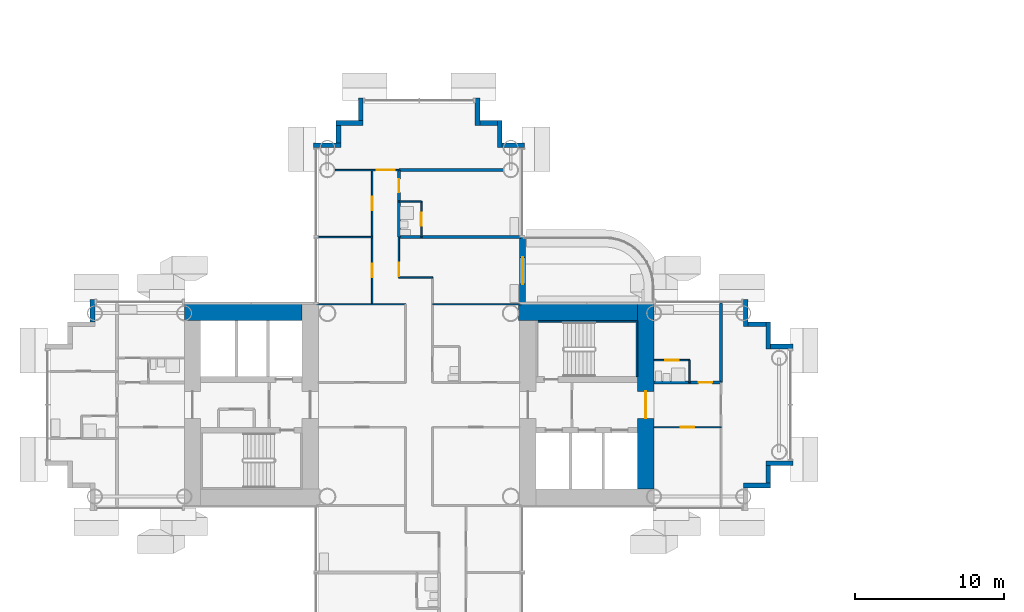
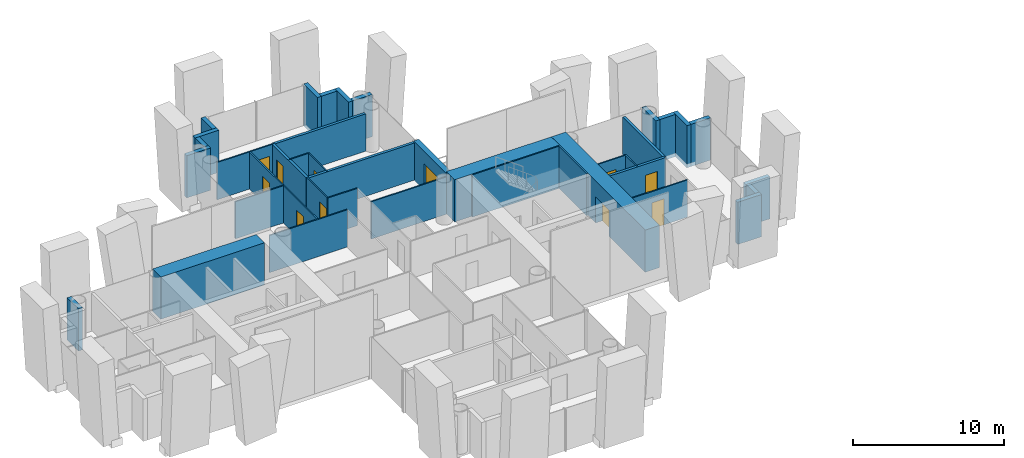
# One storey, part 12 of 23: 39 walls, 11 doors, 11 openings.
"""IFC4 building model written with IfcOpenShell, lengths in metres."""

from ifc_helpers import new_model, si_unit, direction, frame, frame_2d, origin, place, context, subcontext, project, spatial, rectangle, extrude, material, layer, layer_set, type_object, element, fill, save


model = new_model("IFC4")

# Units and contexts
model_context = context("Model", 3, precision=1e-05, world=origin(), true_north=direction((0.0, 1.0)))
body_context = subcontext(model_context, "Body", "Model", "MODEL_VIEW")
ifc_project = project(units=[si_unit("LENGTHUNIT", "METRE"), si_unit("AREAUNIT", "SQUARE_METRE"), si_unit("VOLUMEUNIT", "CUBIC_METRE"), si_unit("PLANEANGLEUNIT", "RADIAN"), si_unit("MASSUNIT", "GRAM", prefix="KILO")], contexts=[model_context])

# Site, building, storey
site_placement = place(None, origin())
site = spatial("IfcSite", under=ifc_project, at=site_placement, CompositionType="ELEMENT")
building_placement = place(site_placement, origin())
building = spatial("IfcBuilding", under=site, at=building_placement, Name="Ipe Terrace Towers", CompositionType="ELEMENT")
storey_placement = place(building_placement, frame((0.0, 0.0, 51.699951171875)))
storey = spatial("IfcBuildingStorey", under=building, at=storey_placement, Name="L13", CompositionType="ELEMENT", Elevation=51.699951171875)

# Wall, opening, door
ifc_material_1 = material(Name="Concrete C40/50 with buff precast cladding", Category="concrete")
ifc_layer_1 = layer(ifc_material_1, 0.39990234375)
ifc_layer_set_1 = layer_set([ifc_layer_1], Name="BALCONY BAY WALL 400")
wall_type_1 = type_object("IfcWallType", Name="BALCONY BAY WALL 400", PredefinedType="STANDARD", material=ifc_layer_set_1)
wall_1_placement = place(storey_placement, frame((-29.050048828125, 6.75, -0.02001953125), z_axis=(0.0, 0.0, 1.0), x_axis=(0.0, 1.0, 0.0)))
wall_1 = element("IfcWall", 1, at=wall_1_placement, inside=storey, type_object=wall_type_1, Name="T1-W-L13-32a wall", PredefinedType="STANDARD", context=body_context, shape_type="SweptSolid", body=[
    extrude(rectangle(XDim=4.5, YDim=0.39990234375, at=frame_2d((2.25, 0.0))), origin(), (0.0, 0.0, 1.0), 3.1201171875),
])
opening_1_placement = place(wall_1_placement, frame((1.35009765625, 0.0, 0.02001953125)))
opening_1 = element("IfcOpeningElement", 2, at=opening_1_placement, cuts=wall_1, Name="Opening T1-D-L13-32", PredefinedType="OPENING", context=body_context, shape_type="SweptSolid", body=[
    extrude(rectangle(XDim=1.800048828125, YDim=2.10009765625, at=frame_2d((0.89990234375, 1.050048828125))), frame((0.0, 0.2099609375, 0.0), z_axis=(0.0, -1.0, 0.0), x_axis=(1.0, 0.0, 0.0)), (0.0, 0.0, 1.0), 0.419921875),
])
ifc_material_2 = material(Name="Aluminium alloy 6063-T6 framed glazed door", Category="aluminium")
door_type_1 = type_object("IfcDoorType", Name="BALCONY DOOR 1800 x 2100 LEFT", OperationType="SINGLE_SWING_LEFT", PredefinedType="DOOR", material=ifc_material_2)
door_1_placement = place(opening_1_placement, origin())
door_1 = element("IfcDoor", 3, at=door_1_placement, inside=storey, type_object=door_type_1, Name="DB1 door", OperationType="SINGLE_SWING_LEFT", OverallHeight=2.10009765625, OverallWidth=1.800048828125, PredefinedType="DOOR", context=body_context, shape_type="SweptSolid", body=[
    extrude(rectangle(XDim=1.800048828125, YDim=2.10009765625, at=frame_2d((0.89990234375, 1.050048828125))), frame((0.0, 0.02490234375, 0.0), z_axis=(0.0, -1.0, 0.0), x_axis=(1.0, 0.0, 0.0)), (0.0, 0.0, 1.0), 0.050048828125),
])
fill(opening_1, door_1)

# Walls
ifc_material_3 = material(Name="Concrete C40/50 with buff precast cladding", Category="concrete")
ifc_layer_2 = layer(ifc_material_3, 0.320068359375)
ifc_layer_set_2 = layer_set([ifc_layer_2], Name="BUFF CLADDING WALL 320")
wall_type_2 = type_object("IfcWallType", Name="BUFF CLADDING WALL 320", PredefinedType="STANDARD", material=ifc_layer_set_2)
wall_2_placement = place(storey_placement, frame((-14.25, -5.409912109375, -0.300048828125), z_axis=(0.0, 0.0, 1.0), x_axis=(1.0, 0.0, 0.0)))
element("IfcWall", 4, at=wall_2_placement, inside=storey, type_object=wall_type_2, Name="T1-W-L13-22a wall", PredefinedType="STANDARD", context=body_context, shape_type="SweptSolid", body=[
    extrude(rectangle(XDim=1.820068359375, YDim=0.320068359375, at=frame_2d((0.91015625, 0.0))), origin(), (0.0, 0.0, 1.0), 3.400146484375),
])
wall_3_placement = place(storey_placement, frame((-12.590087890625, -5.25, -0.300048828125), z_axis=(0.0, 0.0, 1.0), x_axis=(0.0, 1.0, 0.0)))
element("IfcWall", 5, at=wall_3_placement, inside=storey, type_object=wall_type_2, Name="T1-W-L13-23a wall", PredefinedType="STANDARD", context=body_context, shape_type="SweptSolid", body=[
    extrude(rectangle(XDim=1.179931640625, YDim=0.320068359375, at=frame_2d((0.58984375, 0.0))), origin(), (0.0, 0.0, 1.0), 3.400146484375),
])
wall_4_placement = place(storey_placement, frame((-12.75, -3.909912109375, -0.300048828125), z_axis=(0.0, 0.0, 1.0), x_axis=(1.0, 0.0, 0.0)))
element("IfcWall", 6, at=wall_4_placement, inside=storey, type_object=wall_type_2, Name="T1-W-L13-24a wall", PredefinedType="STANDARD", context=body_context, shape_type="SweptSolid", body=[
    extrude(rectangle(XDim=1.820068359375, YDim=0.320068359375, at=frame_2d((0.91015625, 0.0))), origin(), (0.0, 0.0, 1.0), 3.400146484375),
])
wall_5_placement = place(storey_placement, frame((-10.929931640625, 3.909912109375, -0.300048828125), z_axis=(0.0, 0.0, 1.0), x_axis=(-1.0, 0.0, 0.0)))
element("IfcWall", 7, at=wall_5_placement, inside=storey, type_object=wall_type_2, Name="T1-W-L13-26a wall", PredefinedType="STANDARD", context=body_context, shape_type="SweptSolid", body=[
    extrude(rectangle(XDim=1.5, YDim=0.320068359375, at=frame_2d((0.75, 0.0))), origin(), (0.0, 0.0, 1.0), 3.400146484375),
])
wall_6_placement = place(storey_placement, frame((-12.590087890625, 3.75, -0.300048828125), z_axis=(0.0, 0.0, 1.0), x_axis=(0.0, 1.0, 0.0)))
element("IfcWall", 8, at=wall_6_placement, inside=storey, type_object=wall_type_2, Name="T1-W-L13-27a wall", PredefinedType="STANDARD", context=body_context, shape_type="SweptSolid", body=[
    extrude(rectangle(XDim=1.820068359375, YDim=0.320068359375, at=frame_2d((0.91015625, 0.0))), origin(), (0.0, 0.0, 1.0), 3.400146484375),
])
wall_7_placement = place(storey_placement, frame((-12.75, 5.409912109375, -0.300048828125), z_axis=(0.0, 0.0, 1.0), x_axis=(-1.0, 0.0, 0.0)))
element("IfcWall", 9, at=wall_7_placement, inside=storey, type_object=wall_type_2, Name="T1-W-L13-28a wall", PredefinedType="STANDARD", context=body_context, shape_type="SweptSolid", body=[
    extrude(rectangle(XDim=1.179931640625, YDim=0.320068359375, at=frame_2d((0.58984375, 0.0))), origin(), (0.0, 0.0, 1.0), 3.400146484375),
])
wall_8_placement = place(storey_placement, frame((-14.090087890625, 5.25, -0.300048828125), z_axis=(0.0, 0.0, 1.0), x_axis=(0.0, 1.0, 0.0)))
element("IfcWall", 10, at=wall_8_placement, inside=storey, type_object=wall_type_2, Name="T1-W-L13-29a wall", PredefinedType="STANDARD", context=body_context, shape_type="SweptSolid", body=[
    extrude(rectangle(XDim=1.820068359375, YDim=0.320068359375, at=frame_2d((0.91015625, 0.0))), origin(), (0.0, 0.0, 1.0), 3.400146484375),
])
wall_9_placement = place(storey_placement, frame((-28.929931640625, 17.409912109375, -0.300048828125), z_axis=(0.0, 0.0, 1.0), x_axis=(-1.0, 0.0, 0.0)))
element("IfcWall", 11, at=wall_9_placement, inside=storey, type_object=wall_type_2, Name="T1-W-L13-34a wall", PredefinedType="STANDARD", context=body_context, shape_type="SweptSolid", body=[
    extrude(rectangle(XDim=1.5, YDim=0.320068359375, at=frame_2d((0.75, 0.0))), origin(), (0.0, 0.0, 1.0), 3.400146484375),
])
wall_10_placement = place(storey_placement, frame((-30.590087890625, 17.25, -0.300048828125), z_axis=(0.0, 0.0, 1.0), x_axis=(0.0, 1.0, 0.0)))
element("IfcWall", 12, at=wall_10_placement, inside=storey, type_object=wall_type_2, Name="T1-W-L13-35a wall", PredefinedType="STANDARD", context=body_context, shape_type="SweptSolid", body=[
    extrude(rectangle(XDim=1.820068359375, YDim=0.320068359375, at=frame_2d((0.91015625, 0.0))), origin(), (0.0, 0.0, 1.0), 3.400146484375),
])
wall_11_placement = place(storey_placement, frame((-30.75, 18.909912109375, -0.300048828125), z_axis=(0.0, 0.0, 1.0), x_axis=(-1.0, 0.0, 0.0)))
element("IfcWall", 13, at=wall_11_placement, inside=storey, type_object=wall_type_2, Name="T1-W-L13-36a wall", PredefinedType="STANDARD", context=body_context, shape_type="SweptSolid", body=[
    extrude(rectangle(XDim=1.179931640625, YDim=0.320068359375, at=frame_2d((0.58984375, 0.0))), origin(), (0.0, 0.0, 1.0), 3.400146484375),
])
wall_12_placement = place(storey_placement, frame((-32.090087890625, 18.75, -0.300048828125), z_axis=(0.0, 0.0, 1.0), x_axis=(0.0, 1.0, 0.0)))
element("IfcWall", 14, at=wall_12_placement, inside=storey, type_object=wall_type_2, Name="T1-W-L13-37a wall", PredefinedType="STANDARD", context=body_context, shape_type="SweptSolid", body=[
    extrude(rectangle(XDim=1.820068359375, YDim=0.320068359375, at=frame_2d((0.91015625, 0.0))), origin(), (0.0, 0.0, 1.0), 3.400146484375),
])
wall_13_placement = place(storey_placement, frame((-39.909912109375, 20.570068359375, -0.300048828125), z_axis=(0.0, 0.0, 1.0), x_axis=(0.0, -1.0, 0.0)))
element("IfcWall", 15, at=wall_13_placement, inside=storey, type_object=wall_type_2, Name="T1-W-L13-39a wall", PredefinedType="STANDARD", context=body_context, shape_type="SweptSolid", body=[
    extrude(rectangle(XDim=1.5, YDim=0.320068359375, at=frame_2d((0.75, 0.0))), origin(), (0.0, 0.0, 1.0), 3.400146484375),
])
wall_14_placement = place(storey_placement, frame((-39.75, 18.909912109375, -0.300048828125), z_axis=(0.0, 0.0, 1.0), x_axis=(-1.0, 0.0, 0.0)))
element("IfcWall", 16, at=wall_14_placement, inside=storey, type_object=wall_type_2, Name="T1-W-L13-40a wall", PredefinedType="STANDARD", context=body_context, shape_type="SweptSolid", body=[
    extrude(rectangle(XDim=1.820068359375, YDim=0.320068359375, at=frame_2d((0.91015625, 0.0))), origin(), (0.0, 0.0, 1.0), 3.400146484375),
])
wall_15_placement = place(storey_placement, frame((-41.409912109375, 18.75, -0.300048828125), z_axis=(0.0, 0.0, 1.0), x_axis=(0.0, -1.0, 0.0)))
element("IfcWall", 17, at=wall_15_placement, inside=storey, type_object=wall_type_2, Name="T1-W-L13-41a wall", PredefinedType="STANDARD", context=body_context, shape_type="SweptSolid", body=[
    extrude(rectangle(XDim=1.179931640625, YDim=0.320068359375, at=frame_2d((0.58984375, 0.0))), origin(), (0.0, 0.0, 1.0), 3.400146484375),
])
wall_16_placement = place(storey_placement, frame((-41.25, 17.409912109375, -0.300048828125), z_axis=(0.0, 0.0, 1.0), x_axis=(-1.0, 0.0, 0.0)))
element("IfcWall", 18, at=wall_16_placement, inside=storey, type_object=wall_type_2, Name="T1-W-L13-42a wall", PredefinedType="STANDARD", context=body_context, shape_type="SweptSolid", body=[
    extrude(rectangle(XDim=1.820068359375, YDim=0.320068359375, at=frame_2d((0.91015625, 0.0))), origin(), (0.0, 0.0, 1.0), 3.400146484375),
])
wall_17_placement = place(storey_placement, frame((-57.909912109375, 7.070068359375, -0.300048828125), z_axis=(0.0, 0.0, 1.0), x_axis=(0.0, -1.0, 0.0)))
element("IfcWall", 19, at=wall_17_placement, inside=storey, type_object=wall_type_2, Name="T1-W-L13-47a wall", PredefinedType="STANDARD", context=body_context, shape_type="SweptSolid", body=[
    extrude(rectangle(XDim=1.5, YDim=0.320068359375, at=frame_2d((0.75, 0.0))), origin(), (0.0, 0.0, 1.0), 3.400146484375),
])

# Wall, openings, doors
ifc_material_4 = material(Name="Gypsum board partition", Category="plasterboard")
ifc_layer_3 = layer(ifc_material_4, 0.10009765625)
ifc_layer_set_3 = layer_set([ifc_layer_3], Name="Gypsum board partition 100 mm")
wall_type_3 = type_object("IfcWallType", Name="Gypsum board partition 100 mm", PredefinedType="PARTITIONING", material=ifc_layer_set_3)
wall_18_placement = place(storey_placement, frame((-39.14990234375, 6.75, 0.0), z_axis=(0.0, 0.0, 1.0), x_axis=(0.0, 1.0, 0.0)))
wall_18 = element("IfcWall", 20, at=wall_18_placement, inside=storey, type_object=wall_type_3, Name="Gypsum board partition T1 L13 W04", PredefinedType="PARTITIONING", context=body_context, shape_type="SweptSolid", body=[
    extrude(rectangle(XDim=9.0, YDim=0.10009765625, at=frame_2d((4.5, 0.0))), origin(), (0.0, 0.0, 1.0), 3.0),
])
opening_2_placement = place(wall_18_placement, frame((1.800048828125, 0.0, 0.0)))
opening_2 = element("IfcOpeningElement", 21, at=opening_2_placement, cuts=wall_18, Name="Opening T1-Z1C-06", PredefinedType="OPENING", context=body_context, shape_type="SweptSolid", body=[
    extrude(rectangle(XDim=0.89990234375, YDim=2.10009765625, at=frame_2d((0.449951171875, 1.050048828125))), frame((0.0, 0.06005859375, 0.0), z_axis=(0.0, -1.0, 0.0), x_axis=(1.0, 0.0, 0.0)), (0.0, 0.0, 1.0), 0.1201171875),
])
opening_3_placement = place(wall_18_placement, frame((6.300048828125, 0.0, 0.0)))
opening_3 = element("IfcOpeningElement", 22, at=opening_3_placement, cuts=wall_18, Name="Opening T1-Z1C-07", PredefinedType="OPENING", context=body_context, shape_type="SweptSolid", body=[
    extrude(rectangle(XDim=0.89990234375, YDim=2.10009765625, at=frame_2d((0.449951171875, 1.050048828125))), frame((0.0, 0.06005859375, 0.0), z_axis=(0.0, -1.0, 0.0), x_axis=(1.0, 0.0, 0.0)), (0.0, 0.0, 1.0), 0.1201171875),
])
ifc_material_5 = material(Name="Timber door leaf", Category="wood")
door_type_2 = type_object("IfcDoorType", Name="Lounge door 900 x 2100", OperationType="NOTDEFINED", PredefinedType="DOOR", material=ifc_material_5)
door_2_placement = place(opening_2_placement, origin())
door_2 = element("IfcDoor", 23, at=door_2_placement, inside=storey, type_object=door_type_2, Name="Lounge door T1-Z1C-06", OperationType="SINGLE_SWING_RIGHT", OverallHeight=2.10009765625, OverallWidth=0.89990234375, PredefinedType="DOOR", context=body_context, shape_type="SweptSolid", body=[
    extrude(rectangle(XDim=0.89990234375, YDim=2.10009765625, at=frame_2d((0.449951171875, 1.050048828125))), frame((0.0, 0.02490234375, 0.0), z_axis=(0.0, -1.0, 0.0), x_axis=(1.0, 0.0, 0.0)), (0.0, 0.0, 1.0), 0.050048828125),
])
fill(opening_2, door_2)
door_3_placement = place(opening_3_placement, origin())
door_3 = element("IfcDoor", 24, at=door_3_placement, inside=storey, type_object=door_type_2, Name="Lounge door T1-Z1C-07", OperationType="SINGLE_SWING_LEFT", OverallHeight=2.10009765625, OverallWidth=0.89990234375, PredefinedType="DOOR", context=body_context, shape_type="SweptSolid", body=[
    extrude(rectangle(XDim=0.89990234375, YDim=2.10009765625, at=frame_2d((0.449951171875, 1.050048828125))), frame((0.0, 0.02490234375, 0.0), z_axis=(0.0, -1.0, 0.0), x_axis=(1.0, 0.0, 0.0)), (0.0, 0.0, 1.0), 0.050048828125),
])
fill(opening_3, door_3)

# Wall, opening, door
wall_19_placement = place(storey_placement, frame((-37.35009765625, 8.550048828125, 0.0), z_axis=(0.0, 0.0, 1.0), x_axis=(0.0, 1.0, 0.0)))
wall_19 = element("IfcWall", 25, at=wall_19_placement, inside=storey, type_object=wall_type_3, Name="Gypsum board partition T1 L13 W05", PredefinedType="PARTITIONING", context=body_context, shape_type="SweptSolid", body=[
    extrude(rectangle(XDim=2.699951171875, YDim=0.10009765625, at=frame_2d((1.35009765625, 0.0))), origin(), (0.0, 0.0, 1.0), 3.0),
])
opening_4_placement = place(wall_19_placement, frame((0.070068359375, 0.0, 0.0)))
opening_4 = element("IfcOpeningElement", 26, at=opening_4_placement, cuts=wall_19, Name="Opening T1-Z1C-08", PredefinedType="OPENING", context=body_context, shape_type="SweptSolid", body=[
    extrude(rectangle(XDim=0.89990234375, YDim=2.10009765625, at=frame_2d((0.449951171875, 1.050048828125))), frame((0.0, 0.06005859375, 0.0), z_axis=(0.0, -1.0, 0.0), x_axis=(1.0, 0.0, 0.0)), (0.0, 0.0, 1.0), 0.1201171875),
])
door_4_placement = place(opening_4_placement, origin())
door_4 = element("IfcDoor", 27, at=door_4_placement, inside=storey, type_object=door_type_2, Name="Lounge door T1-Z1C-08", OperationType="SINGLE_SWING_LEFT", OverallHeight=2.10009765625, OverallWidth=0.89990234375, PredefinedType="DOOR", context=body_context, shape_type="SweptSolid", body=[
    extrude(rectangle(XDim=0.89990234375, YDim=2.10009765625, at=frame_2d((0.449951171875, 1.050048828125))), frame((0.0, 0.02490234375, 0.0), z_axis=(0.0, -1.0, 0.0), x_axis=(1.0, 0.0, 0.0)), (0.0, 0.0, 1.0), 0.050048828125),
])
fill(opening_4, door_4)

wall_20_placement = place(storey_placement, frame((-35.85009765625, 11.25, 0.0), z_axis=(0.0, 0.0, 1.0), x_axis=(0.0, 1.0, 0.0)))
wall_20 = element("IfcWall", 28, at=wall_20_placement, inside=storey, type_object=wall_type_3, Name="Gypsum board partition T1 L13 W10", PredefinedType="PARTITIONING", context=body_context, shape_type="SweptSolid", body=[
    extrude(rectangle(XDim=2.39990234375, YDim=0.10009765625, at=frame_2d((1.199951171875, 0.0))), origin(), (0.0, 0.0, 1.0), 3.0),
])
opening_5_placement = place(wall_20_placement, frame((0.75, 0.0, 0.0)))
opening_5 = element("IfcOpeningElement", 29, at=opening_5_placement, cuts=wall_20, Name="Opening T1-Z1C-10", PredefinedType="OPENING", context=body_context, shape_type="SweptSolid", body=[
    extrude(rectangle(XDim=0.89990234375, YDim=2.10009765625, at=frame_2d((0.449951171875, 1.050048828125))), frame((0.0, 0.06005859375, 0.0), z_axis=(0.0, -1.0, 0.0), x_axis=(1.0, 0.0, 0.0)), (0.0, 0.0, 1.0), 0.1201171875),
])
ifc_material_6 = material(Name="Timber door leaf", Category="wood")
door_type_3 = type_object("IfcDoorType", Name="Bathroom door 900 x 2100", OperationType="NOTDEFINED", PredefinedType="DOOR", material=ifc_material_6)
door_5_placement = place(opening_5_placement, origin())
door_5 = element("IfcDoor", 30, at=door_5_placement, inside=storey, type_object=door_type_3, Name="Bathroom door T1-Z1C-10", OperationType="SINGLE_SWING_RIGHT", OverallHeight=2.10009765625, OverallWidth=0.89990234375, PredefinedType="DOOR", context=body_context, shape_type="SweptSolid", body=[
    extrude(rectangle(XDim=0.89990234375, YDim=2.10009765625, at=frame_2d((0.449951171875, 1.050048828125))), frame((0.0, 0.02490234375, 0.0), z_axis=(0.0, -1.0, 0.0), x_axis=(1.0, 0.0, 0.0)), (0.0, 0.0, 1.0), 0.050048828125),
])
fill(opening_5, door_5)

# Wall
wall_21_placement = place(storey_placement, frame((-17.85009765625, 1.5, 0.0), z_axis=(0.0, 0.0, 1.0), x_axis=(0.0, 1.0, 0.0)))
element("IfcWall", 31, at=wall_21_placement, inside=storey, type_object=wall_type_3, Name="Gypsum board partition T1 L13 W17", PredefinedType="PARTITIONING", context=body_context, shape_type="SweptSolid", body=[
    extrude(rectangle(XDim=1.5, YDim=0.10009765625, at=frame_2d((0.75, 0.0))), origin(), (0.0, 0.0, 1.0), 3.0),
])

# Wall, opening, door
wall_22_placement = place(storey_placement, frame((-20.25, -1.5, 0.0), z_axis=(0.0, 0.0, 1.0), x_axis=(1.0, 0.0, 0.0)))
wall_22 = element("IfcWall", 32, at=wall_22_placement, inside=storey, type_object=wall_type_3, Name="Gypsum board partition T1 L13 W32", PredefinedType="PARTITIONING", context=body_context, shape_type="SweptSolid", body=[
    extrude(rectangle(XDim=4.5, YDim=0.10009765625, at=frame_2d((2.25, 0.0))), origin(), (0.0, 0.0, 1.0), 3.0),
])
opening_6_placement = place(wall_22_placement, frame((1.800048828125, 0.0, 0.0)))
opening_6 = element("IfcOpeningElement", 33, at=opening_6_placement, cuts=wall_22, Name="Opening T1-Z1C-20", PredefinedType="OPENING", context=body_context, shape_type="SweptSolid", body=[
    extrude(rectangle(XDim=0.89990234375, YDim=2.10009765625, at=frame_2d((0.449951171875, 1.050048828125))), frame((0.0, 0.06005859375, 0.0), z_axis=(0.0, -1.0, 0.0), x_axis=(1.0, 0.0, 0.0)), (0.0, 0.0, 1.0), 0.1201171875),
])
door_6_placement = place(opening_6_placement, origin())
door_6 = element("IfcDoor", 34, at=door_6_placement, inside=storey, type_object=door_type_2, Name="Lounge door T1-Z1C-20", OperationType="SINGLE_SWING_RIGHT", OverallHeight=2.10009765625, OverallWidth=0.89990234375, PredefinedType="DOOR", context=body_context, shape_type="SweptSolid", body=[
    extrude(rectangle(XDim=0.89990234375, YDim=2.10009765625, at=frame_2d((0.449951171875, 1.050048828125))), frame((0.0, 0.02490234375, 0.0), z_axis=(0.0, -1.0, 0.0), x_axis=(1.0, 0.0, 0.0)), (0.0, 0.0, 1.0), 0.050048828125),
])
fill(opening_6, door_6)

wall_23_placement = place(storey_placement, frame((-20.25, 3.0, 0.0), z_axis=(0.0, 0.0, 1.0), x_axis=(1.0, 0.0, 0.0)))
wall_23 = element("IfcWall", 35, at=wall_23_placement, inside=storey, type_object=wall_type_3, Name="Gypsum board partition T1 L13 W39", PredefinedType="PARTITIONING", context=body_context, shape_type="SweptSolid", body=[
    extrude(rectangle(XDim=2.39990234375, YDim=0.10009765625, at=frame_2d((1.199951171875, 0.0))), origin(), (0.0, 0.0, 1.0), 3.0),
])
opening_7_placement = place(wall_23_placement, frame((0.75, 0.0, 0.0)))
opening_7 = element("IfcOpeningElement", 36, at=opening_7_placement, cuts=wall_23, Name="Opening T1-Z1C-19", PredefinedType="OPENING", context=body_context, shape_type="SweptSolid", body=[
    extrude(rectangle(XDim=0.89990234375, YDim=2.10009765625, at=frame_2d((0.449951171875, 1.050048828125))), frame((0.0, 0.06005859375, 0.0), z_axis=(0.0, -1.0, 0.0), x_axis=(1.0, 0.0, 0.0)), (0.0, 0.0, 1.0), 0.1201171875),
])
door_7_placement = place(opening_7_placement, origin())
door_7 = element("IfcDoor", 37, at=door_7_placement, inside=storey, type_object=door_type_3, Name="Bathroom door T1-Z1C-19", OperationType="SINGLE_SWING_RIGHT", OverallHeight=2.10009765625, OverallWidth=0.89990234375, PredefinedType="DOOR", context=body_context, shape_type="SweptSolid", body=[
    extrude(rectangle(XDim=0.89990234375, YDim=2.10009765625, at=frame_2d((0.449951171875, 1.050048828125))), frame((0.0, 0.02490234375, 0.0), z_axis=(0.0, -1.0, 0.0), x_axis=(1.0, 0.0, 0.0)), (0.0, 0.0, 1.0), 0.050048828125),
])
fill(opening_7, door_7)

# Walls
for number, where, z_axis, x_axis, name in (
    (38, (-42.85009765625, 6.75, 0.0), (0.0, 0.0, 1.0), (1.0, 0.0, 0.0), "Gypsum board partition T1 L13 W42"),
    (39, (-35.10009765625, 6.75, 0.0), (0.0, 0.0, 1.0), (1.0, 0.0, 0.0), "Gypsum board partition T1 L13 W43"),
):
    element("IfcWall", number, at=place(storey_placement, frame(where, z_axis=z_axis, x_axis=x_axis)), inside=storey, type_object=wall_type_3, Name=name, PredefinedType="PARTITIONING", context=body_context, shape_type="SweptSolid", body=[
        extrude(rectangle(XDim=5.9501953125, YDim=0.10009765625, at=frame_2d((2.97509765625, 0.0))), origin(), (0.0, 0.0, 1.0), 3.0),
    ])
wall_24_placement = place(storey_placement, frame((-37.35009765625, 8.550048828125, 0.0), z_axis=(0.0, 0.0, 1.0), x_axis=(1.0, 0.0, 0.0)))
element("IfcWall", 40, at=wall_24_placement, inside=storey, type_object=wall_type_3, Name="Gypsum board partition T1 L13 W44", PredefinedType="PARTITIONING", context=body_context, shape_type="SweptSolid", body=[
    extrude(rectangle(XDim=2.25, YDim=0.10009765625, at=frame_2d((1.125, 0.0))), origin(), (0.0, 0.0, 1.0), 3.0),
])
wall_25_placement = place(storey_placement, frame((-42.85009765625, 11.25, 0.0), z_axis=(0.0, 0.0, 1.0), x_axis=(1.0, 0.0, 0.0)))
element("IfcWall", 41, at=wall_25_placement, inside=storey, type_object=wall_type_3, Name="Gypsum board partition T1 L13 W45", PredefinedType="PARTITIONING", context=body_context, shape_type="SweptSolid", body=[
    extrude(rectangle(XDim=3.7001953125, YDim=0.10009765625, at=frame_2d((1.85009765625, 0.0))), origin(), (0.0, 0.0, 1.0), 3.0),
])
wall_26_placement = place(storey_placement, frame((-37.35009765625, 13.64990234375, 0.0), z_axis=(0.0, 0.0, 1.0), x_axis=(1.0, 0.0, 0.0)))
element("IfcWall", 42, at=wall_26_placement, inside=storey, type_object=wall_type_3, Name="Gypsum board partition T1 L13 W47", PredefinedType="PARTITIONING", context=body_context, shape_type="SweptSolid", body=[
    extrude(rectangle(XDim=1.5, YDim=0.10009765625, at=frame_2d((0.75, 0.0))), origin(), (0.0, 0.0, 1.0), 3.0),
])

# Wall, opening, door
wall_27_placement = place(storey_placement, frame((-41.64990234375, 15.75, 0.0), z_axis=(0.0, 0.0, 1.0), x_axis=(1.0, 0.0, 0.0)))
wall_27 = element("IfcWall", 43, at=wall_27_placement, inside=storey, type_object=wall_type_3, Name="Gypsum board partition T1 L13 W48", PredefinedType="PARTITIONING", context=body_context, shape_type="SweptSolid", body=[
    extrude(rectangle(XDim=4.2998046875, YDim=0.10009765625, at=frame_2d((2.14990234375, 0.0))), origin(), (0.0, 0.0, 1.0), 3.0),
])
opening_8_placement = place(wall_27_placement, frame((2.800048828125, 0.0, 0.0)))
opening_8 = element("IfcOpeningElement", 44, at=opening_8_placement, cuts=wall_27, Name="Opening T1-Z1C-11", PredefinedType="OPENING", context=body_context, shape_type="SweptSolid", body=[
    extrude(rectangle(XDim=1.199951171875, YDim=2.10009765625, at=frame_2d((0.60009765625, 1.050048828125))), frame((0.0, 0.06005859375, 0.0), z_axis=(0.0, -1.0, 0.0), x_axis=(1.0, 0.0, 0.0)), (0.0, 0.0, 1.0), 0.1201171875),
])
ifc_material_7 = material(Name="Timber door leaf", Category="wood")
door_type_4 = type_object("IfcDoorType", Name="Lounge door 1200 x 2100", OperationType="NOTDEFINED", PredefinedType="DOOR", material=ifc_material_7)
door_8_placement = place(opening_8_placement, origin())
door_8 = element("IfcDoor", 45, at=door_8_placement, inside=storey, type_object=door_type_4, Name="Lounge door T1-Z1C-11", OperationType="SINGLE_SWING_LEFT", OverallHeight=2.10009765625, OverallWidth=1.199951171875, PredefinedType="DOOR", context=body_context, shape_type="SweptSolid", body=[
    extrude(rectangle(XDim=1.199951171875, YDim=2.10009765625, at=frame_2d((0.60009765625, 1.050048828125))), frame((0.0, 0.02490234375, 0.0), z_axis=(0.0, -1.0, 0.0), x_axis=(1.0, 0.0, 0.0)), (0.0, 0.0, 1.0), 0.050048828125),
])
fill(opening_8, door_8)

ifc_material_8 = material(Name="Gypsum board party wall", Category="plasterboard")
ifc_layer_4 = layer(ifc_material_8, 0.199951171875)
ifc_layer_set_4 = layer_set([ifc_layer_4], Name="Gypsum board party wall 200 mm")
wall_type_4 = type_object("IfcWallType", Name="Gypsum board party wall 200 mm", PredefinedType="SOLIDWALL", material=ifc_layer_set_4)
wall_28_placement = place(storey_placement, frame((-37.35009765625, 11.25, 0.0), z_axis=(0.0, 0.0, 1.0), x_axis=(0.0, 1.0, 0.0)))
wall_28 = element("IfcWall", 46, at=wall_28_placement, inside=storey, type_object=wall_type_4, Name="Gypsum board party wall T1 L13 W06", PredefinedType="SOLIDWALL", context=body_context, shape_type="SweptSolid", body=[
    extrude(rectangle(XDim=4.5, YDim=0.199951171875, at=frame_2d((2.25, 0.0))), origin(), (0.0, 0.0, 1.0), 3.0),
])
opening_9_placement = place(wall_28_placement, frame((3.0, 0.0, 0.0)))
opening_9 = element("IfcOpeningElement", 47, at=opening_9_placement, cuts=wall_28, Name="Opening T1-Z1C-09", PredefinedType="OPENING", context=body_context, shape_type="SweptSolid", body=[
    extrude(rectangle(XDim=0.89990234375, YDim=2.10009765625, at=frame_2d((0.449951171875, 1.050048828125))), frame((0.0, 0.10986328125, 0.0), z_axis=(0.0, -1.0, 0.0), x_axis=(1.0, 0.0, 0.0)), (0.0, 0.0, 1.0), 0.219970703125),
])
ifc_material_9 = material(Name="Fire-rated timber door leaf", Category="wood")
door_type_5 = type_object("IfcDoorType", Name="Flat entrance door 900 x 2100 FD30S", OperationType="NOTDEFINED", PredefinedType="DOOR", material=ifc_material_9)
door_9_placement = place(opening_9_placement, origin())
door_9 = element("IfcDoor", 48, at=door_9_placement, inside=storey, type_object=door_type_5, Name="Flat entrance door T1-Z1C-09", OperationType="SINGLE_SWING_RIGHT", OverallHeight=2.10009765625, OverallWidth=0.89990234375, PredefinedType="DOOR", context=body_context, shape_type="SweptSolid", body=[
    extrude(rectangle(XDim=0.89990234375, YDim=2.10009765625, at=frame_2d((0.449951171875, 1.050048828125))), frame((0.0, 0.02490234375, 0.0), z_axis=(0.0, -1.0, 0.0), x_axis=(1.0, 0.0, 0.0)), (0.0, 0.0, 1.0), 0.050048828125),
])
fill(opening_9, door_9)

# Wall
wall_29_placement = place(storey_placement, frame((-15.75, 1.5, 0.0), z_axis=(0.0, 0.0, 1.0), x_axis=(0.0, 1.0, 0.0)))
element("IfcWall", 49, at=wall_29_placement, inside=storey, type_object=wall_type_4, Name="Gypsum board party wall T1 L13 W19", PredefinedType="SOLIDWALL", context=body_context, shape_type="SweptSolid", body=[
    extrude(rectangle(XDim=5.35009765625, YDim=0.199951171875, at=frame_2d((2.675048828125, 0.0))), origin(), (0.0, 0.0, 1.0), 3.0),
])

# Wall, opening, door
wall_30_placement = place(storey_placement, frame((-20.25, 1.5, 0.0), z_axis=(0.0, 0.0, 1.0), x_axis=(1.0, 0.0, 0.0)))
wall_30 = element("IfcWall", 50, at=wall_30_placement, inside=storey, type_object=wall_type_4, Name="Gypsum board party wall T1 L13 W37", PredefinedType="SOLIDWALL", context=body_context, shape_type="SweptSolid", body=[
    extrude(rectangle(XDim=4.5, YDim=0.199951171875, at=frame_2d((2.25, 0.0))), origin(), (0.0, 0.0, 1.0), 3.0),
])
opening_10_placement = place(wall_30_placement, frame((3.0, 0.0, 0.0)))
opening_10 = element("IfcOpeningElement", 51, at=opening_10_placement, cuts=wall_30, Name="Opening T1-Z1C-18", PredefinedType="OPENING", context=body_context, shape_type="SweptSolid", body=[
    extrude(rectangle(XDim=0.89990234375, YDim=2.10009765625, at=frame_2d((0.449951171875, 1.050048828125))), frame((0.0, 0.10986328125, 0.0), z_axis=(0.0, -1.0, 0.0), x_axis=(1.0, 0.0, 0.0)), (0.0, 0.0, 1.0), 0.219970703125),
])
door_10_placement = place(opening_10_placement, origin())
door_10 = element("IfcDoor", 52, at=door_10_placement, inside=storey, type_object=door_type_5, Name="Flat entrance door T1-Z1C-18", OperationType="SINGLE_SWING_LEFT", OverallHeight=2.10009765625, OverallWidth=0.89990234375, PredefinedType="DOOR", context=body_context, shape_type="SweptSolid", body=[
    extrude(rectangle(XDim=0.89990234375, YDim=2.10009765625, at=frame_2d((0.449951171875, 1.050048828125))), frame((0.0, 0.02490234375, 0.0), z_axis=(0.0, -1.0, 0.0), x_axis=(1.0, 0.0, 0.0)), (0.0, 0.0, 1.0), 0.050048828125),
])
fill(opening_10, door_10)

# Walls
wall_31_placement = place(storey_placement, frame((-37.35009765625, 11.25, 0.0), z_axis=(0.0, 0.0, 1.0), x_axis=(1.0, 0.0, 0.0)))
element("IfcWall", 53, at=wall_31_placement, inside=storey, type_object=wall_type_4, Name="Gypsum board party wall T1 L13 W46", PredefinedType="SOLIDWALL", context=body_context, shape_type="SweptSolid", body=[
    extrude(rectangle(XDim=8.2001953125, YDim=0.199951171875, at=frame_2d((4.10009765625, 0.0))), origin(), (0.0, 0.0, 1.0), 3.0),
])
wall_32_placement = place(storey_placement, frame((-37.35009765625, 15.75, 0.0), z_axis=(0.0, 0.0, 1.0), x_axis=(1.0, 0.0, 0.0)))
element("IfcWall", 54, at=wall_32_placement, inside=storey, type_object=wall_type_4, Name="Gypsum board party wall T1 L13 W49", PredefinedType="SOLIDWALL", context=body_context, shape_type="SweptSolid", body=[
    extrude(rectangle(XDim=7.0, YDim=0.199951171875, at=frame_2d((3.5, 0.0))), origin(), (0.0, 0.0, 1.0), 3.0),
])
ifc_material_10 = material(Name="Concrete C60/75", Category="concrete")
ifc_layer_5 = layer(ifc_material_10, 0.10009765625)
ifc_layer_set_5 = layer_set([ifc_layer_5], Name="RW100 CORE INFILL WALL 100 C60-75")
wall_type_5 = type_object("IfcWallType", Name="RW100 CORE INFILL WALL 100 C60-75", PredefinedType="SHEAR", material=ifc_layer_set_5)
wall_33_placement = place(storey_placement, frame((-21.39990234375, 1.89990234375, 0.0), z_axis=(0.0, 0.0, 1.0), x_axis=(0.0, 1.0, 0.0)))
element("IfcWall", 55, at=wall_33_placement, inside=storey, type_object=wall_type_5, Name="Core infill wall T1-C1-far", PredefinedType="SHEAR", context=body_context, shape_type="SweptSolid", body=[
    extrude(rectangle(XDim=3.75, YDim=0.10009765625, at=frame_2d((1.875, 0.0))), origin(), (0.0, 0.0, 1.0), 3.400146484375),
])
wall_34_placement = place(storey_placement, frame((-28.050048828125, 5.60009765625, 0.0), z_axis=(0.0, 0.0, 1.0), x_axis=(1.0, 0.0, 0.0)))
element("IfcWall", 56, at=wall_34_placement, inside=storey, type_object=wall_type_5, Name="Core infill wall T1-C1-back", PredefinedType="SHEAR", context=body_context, shape_type="SweptSolid", body=[
    extrude(rectangle(XDim=6.60009765625, YDim=0.10009765625, at=frame_2d((3.300048828125, 0.0))), origin(), (0.0, 0.0, 1.0), 3.400146484375),
])

# Wall, opening, door
ifc_material_11 = material(Name="Concrete C60/75", Category="concrete")
ifc_layer_6 = layer(ifc_material_11, 1.10009765625)
ifc_layer_set_6 = layer_set([ifc_layer_6], Name="RW1100 CORE WALL 1100 C60-75")
wall_type_6 = type_object("IfcWallType", Name="RW1100 CORE WALL 1100 C60-75", PredefinedType="SHEAR", material=ifc_layer_set_6)
wall_35_placement = place(storey_placement, frame((-20.800048828125, -5.64990234375, 0.0), z_axis=(0.0, 0.0, 1.0), x_axis=(0.0, 1.0, 0.0)))
wall_35 = element("IfcWall", 57, at=wall_35_placement, inside=storey, type_object=wall_type_6, Name="Core wall T1-C1-Z1-W02", PredefinedType="SHEAR", context=body_context, shape_type="SweptSolid", body=[
    extrude(rectangle(XDim=12.39990234375, YDim=1.10009765625, at=frame_2d((6.199951171875, 0.0))), origin(), (0.0, 0.0, 1.0), 3.400146484375),
])
opening_11_placement = place(wall_35_placement, frame((4.75, 0.0, 0.0)))
opening_11 = element("IfcOpeningElement", 58, at=opening_11_placement, cuts=wall_35, Name="Opening T1C1-FD", PredefinedType="OPENING", context=body_context, shape_type="SweptSolid", body=[
    extrude(rectangle(XDim=1.800048828125, YDim=2.10009765625, at=frame_2d((0.89990234375, 1.050048828125))), frame((0.0, 0.56005859375, 0.0), z_axis=(0.0, -1.0, 0.0), x_axis=(1.0, 0.0, 0.0)), (0.0, 0.0, 1.0), 1.1201171875),
])
ifc_material_12 = material(Name="Fire-rated timber door leaf", Category="wood")
door_type_6 = type_object("IfcDoorType", Name="Fire door 1800 x 2100 FD30S", OperationType="NOTDEFINED", PredefinedType="DOOR", material=ifc_material_12)
door_11_placement = place(opening_11_placement, origin())
door_11 = element("IfcDoor", 59, at=door_11_placement, inside=storey, type_object=door_type_6, Name="Fire door T1C1-FD", OperationType="SINGLE_SWING_LEFT", OverallHeight=2.10009765625, OverallWidth=1.800048828125, PredefinedType="DOOR", context=body_context, shape_type="SweptSolid", body=[
    extrude(rectangle(XDim=1.800048828125, YDim=2.10009765625, at=frame_2d((0.89990234375, 1.050048828125))), frame((0.0, 0.02490234375, 0.0), z_axis=(0.0, -1.0, 0.0), x_axis=(1.0, 0.0, 0.0)), (0.0, 0.0, 1.0), 0.050048828125),
])
fill(opening_11, door_11)

# Walls
wall_36_placement = place(storey_placement, frame((-21.35009765625, 6.199951171875, 0.0), z_axis=(0.0, 0.0, 1.0), x_axis=(-1.0, 0.0, 0.0)))
element("IfcWall", 60, at=wall_36_placement, inside=storey, type_object=wall_type_6, Name="Core wall T1-C1-Z1-W03", PredefinedType="SHEAR", context=body_context, shape_type="SweptSolid", body=[
    extrude(rectangle(XDim=7.997802734375, YDim=1.10009765625, at=frame_2d((3.9990234375, 0.0))), origin(), (0.0, 0.0, 1.0), 3.400146484375),
])
wall_37_placement = place(storey_placement, frame((-43.85009765625, 6.199951171875, 0.0), z_axis=(0.0, 0.0, 1.0), x_axis=(-1.0, 0.0, 0.0)))
element("IfcWall", 61, at=wall_37_placement, inside=storey, type_object=wall_type_6, Name="Core wall T1-C2-Z1-W03", PredefinedType="SHEAR", context=body_context, shape_type="SweptSolid", body=[
    extrude(rectangle(XDim=7.89990234375, YDim=1.10009765625, at=frame_2d((3.949951171875, 0.0))), origin(), (0.0, 0.0, 1.0), 3.400146484375),
])

save(model, "model.ifc")
